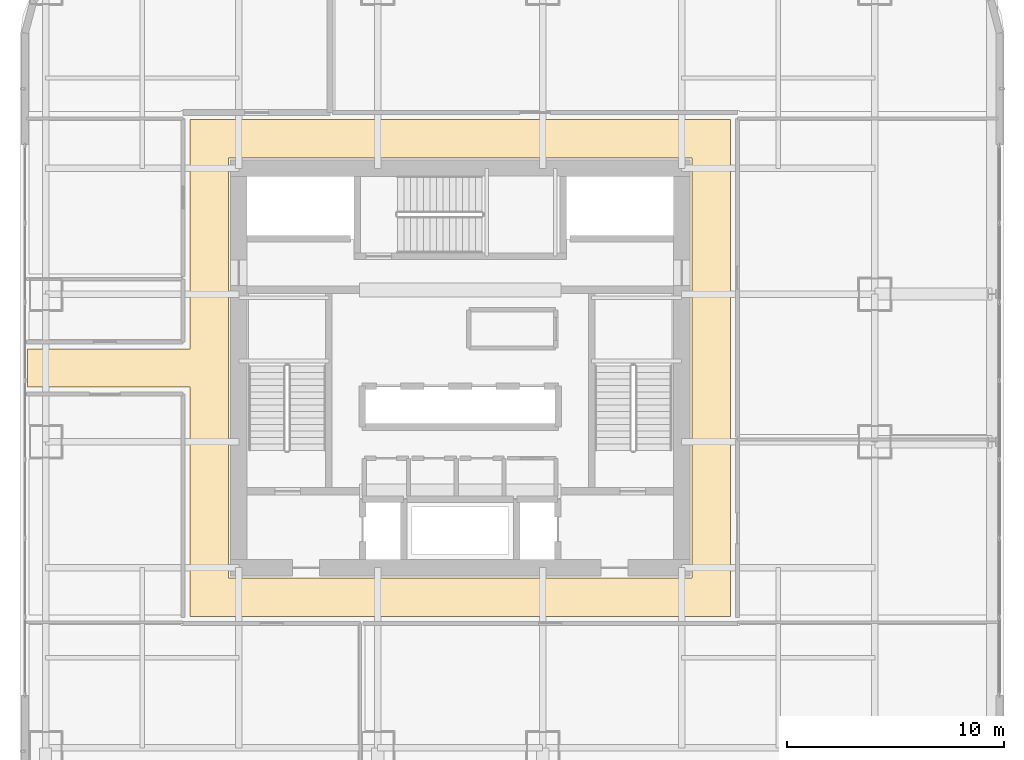
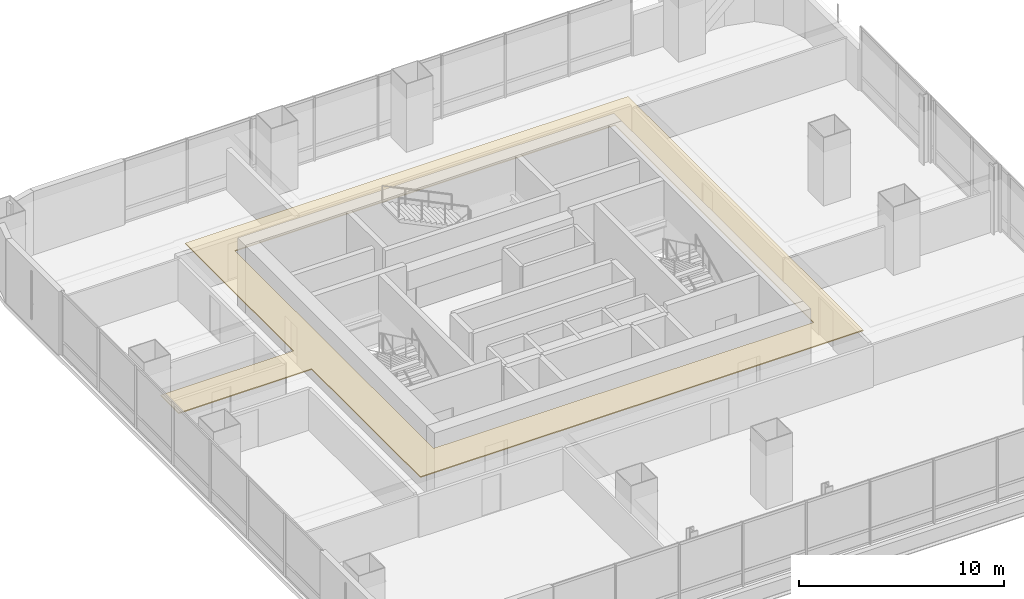
# One storey, part 36 of 42: 1 covering.
"""IFC4 building model written with IfcOpenShell, lengths in metres."""

from ifc_helpers import new_model, si_unit, direction, frame, origin, place, context, subcontext, project, spatial, polyline, outline, extrude, material, layer, layer_set, type_object, element, save


model = new_model("IFC4")

# Units and contexts
model_context = context("Model", 3, precision=1e-05, world=origin(), true_north=direction((0.0, 1.0)))
body_context = subcontext(model_context, "Body", "Model", "MODEL_VIEW")
ifc_project = project(units=[si_unit("LENGTHUNIT", "METRE"), si_unit("AREAUNIT", "SQUARE_METRE"), si_unit("VOLUMEUNIT", "CUBIC_METRE"), si_unit("PLANEANGLEUNIT", "RADIAN"), si_unit("MASSUNIT", "GRAM", prefix="KILO")], contexts=[model_context])

# Site, building, storey
site_placement = place(None, origin())
site = spatial("IfcSite", under=ifc_project, at=site_placement, CompositionType="ELEMENT")
building_placement = place(site_placement, origin())
building = spatial("IfcBuilding", under=site, at=building_placement, Name="Punatoya Terracotta Tower", CompositionType="ELEMENT")
storey_placement = place(building_placement, frame((0.0, 0.0, 88.949951171875)))
storey = spatial("IfcBuildingStorey", under=building, at=storey_placement, Name="L20", CompositionType="ELEMENT", Elevation=88.949951171875)

# Covering
ifc_material = material(Name="Acoustic Mineral Fibre Ceiling")
ifc_layer = layer(ifc_material, 0.06005859375)
ifc_layer_set = layer_set([ifc_layer], Name="Acoustic Mineral Fibre Ceiling")
covering_type = type_object("IfcCoveringType", Name="COV-CEIL-60", PredefinedType="CEILING", material=ifc_layer_set)
covering_placement = place(storey_placement, frame((0.0, 0.0, 3.199951171875)))
element("IfcCovering", 1, at=covering_placement, inside=storey, type_object=covering_type, Name="L20 Ring Circulation Corridor Acoustic Ceiling", PredefinedType="CEILING", context=body_context, shape_type="SweptSolid", body=[
    extrude(outline(polyline([(-12.449951171875, -11.449951171875), (12.449951171875, -11.449951171875), (12.449951171875, 11.449951171875), (-12.449951171875, 11.449951171875), (-12.449951171875, 0.8798828125), (-19.929931640625, 0.8798828125), (-19.929931640625, -0.8798828125), (-12.449951171875, -0.8798828125), (-12.449951171875, -11.449951171875)]), holes=[polyline([(-10.679931640625, -9.679931640625), (-10.679931640625, 9.679931640625), (10.679931640625, 9.679931640625), (10.679931640625, -9.679931640625), (-10.679931640625, -9.679931640625)])]), origin(), (0.0, 0.0, 1.0), 0.06005859375),
])

save(model, "model.ifc")
